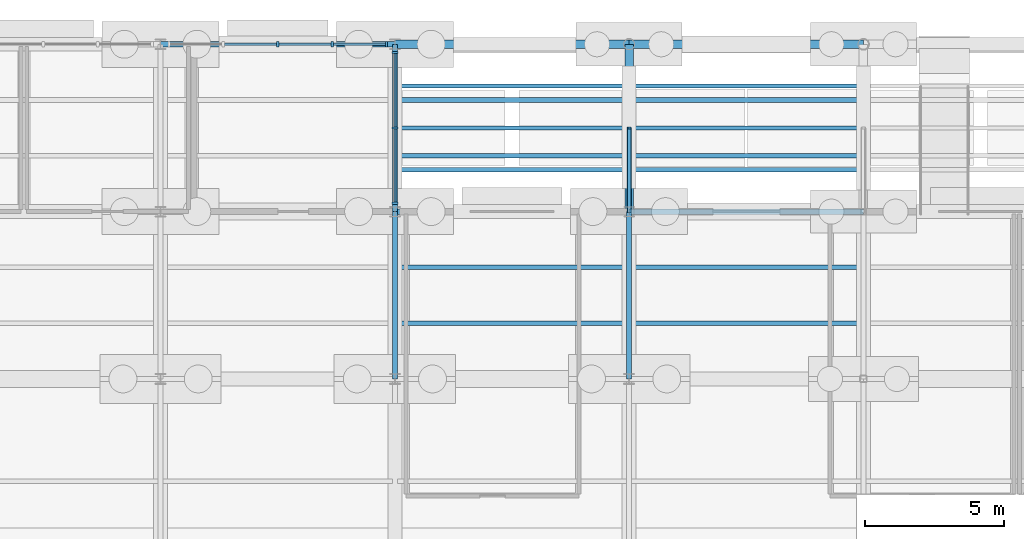
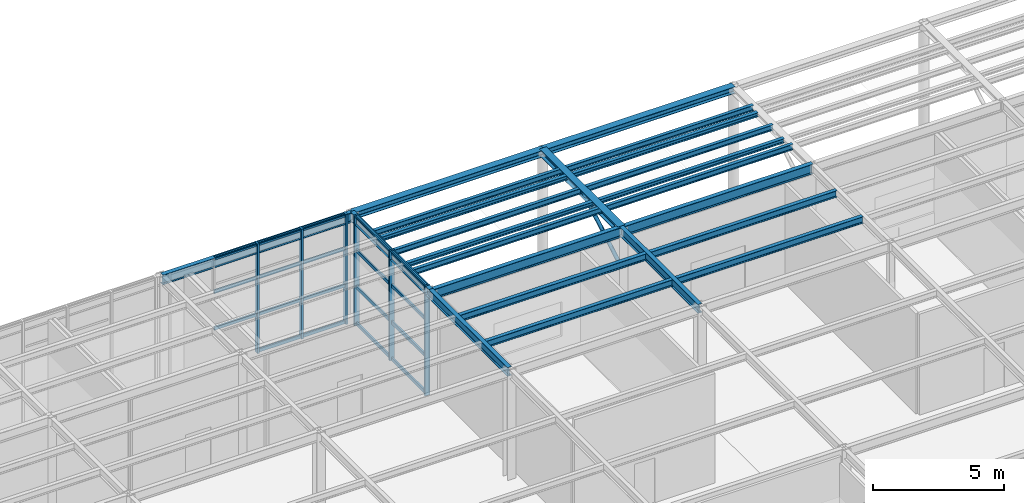
# One storey, part 63 of 129: 32 members, 17 beams, 2 elements without a shape of their own.
"""IFC4 building model written with IfcOpenShell, lengths in metres."""

from ifc_helpers import new_model, si_unit, direction, frame, origin, origin_2d, place, context, subcontext, project, spatial, rectangle, hollow_circle, i_section, extrude, material, layer, layer_set, material_profile, profile_set, type_object, element, aggregate, save


model = new_model("IFC4")

# Units and contexts
model_context = context("Model", 3, precision=1e-05, world=origin(), true_north=direction((0.0, 1.0)))
body_context = subcontext(model_context, "Body", "Model", "MODEL_VIEW")
ifc_project = project(units=[si_unit("LENGTHUNIT", "METRE"), si_unit("AREAUNIT", "SQUARE_METRE"), si_unit("VOLUMEUNIT", "CUBIC_METRE"), si_unit("PLANEANGLEUNIT", "RADIAN"), si_unit("MASSUNIT", "GRAM", prefix="KILO")], contexts=[model_context])

# Site, building, storey
site_placement = place(None, origin())
site = spatial("IfcSite", under=ifc_project, at=site_placement, CompositionType="ELEMENT")
building_placement = place(site_placement, origin())
building = spatial("IfcBuilding", under=site, at=building_placement, Name="Sitalva Quay Ferry Terminal", CompositionType="ELEMENT")
storey_placement = place(building_placement, origin())
storey = spatial("IfcBuildingStorey", under=building, at=storey_placement, Name="L01", CompositionType="ELEMENT", Elevation=0.0)

# Beams
ifc_material_1 = material(Name="Structural Steel S355JR", Category="steel")
ifc_material_profile_1 = material_profile(ifc_material_1, i_section(OverallWidth=0.305908203125, OverallDepth=0.31103515625, WebThickness=0.010986328125, FlangeThickness=0.01708984375, FilletRadius=0.014892578125, at=origin_2d()), Name="W310x107")
ifc_profile_set_1 = profile_set([ifc_material_profile_1], Name="Structural Steel S355JR")
beam_type_1 = type_object("IfcBeamType", Name="Beam_W310x107", PredefinedType="BEAM", material=ifc_profile_set_1)
for number, where, z_axis, x_axis, name in (
    (1, (117.60009765625, 112.0, 4.964599609375), (1.0, 0.0, 0.0), (0.0, 1.0, 0.0), "L01 Primary X girder 0679"),
    (2, (126.0, 112.0, 4.964599609375), (1.0, 0.0, 0.0), (0.0, 1.0, 0.0), "L01 Primary X girder 0680"),
):
    element("IfcBeam", number, at=place(storey_placement, frame(where, z_axis=z_axis, x_axis=x_axis)), inside=storey, type_object=beam_type_1, Name=name, PredefinedType="BEAM", context=body_context, shape_type="SweptSolid", body=[
        extrude(i_section(OverallWidth=0.305908203125, OverallDepth=0.31103515625, WebThickness=0.010986328125, FlangeThickness=0.01708984375, FilletRadius=0.014892578125, at=origin_2d()), origin(), (0.0, 0.0, 1.0), 8.39990234375),
    ])
beam_1_placement = place(storey_placement, frame((126.0, 106.0, 4.964599609375), z_axis=(0.0, 1.0, 0.0), x_axis=(-1.0, 0.0, 0.0)))
element("IfcBeam", 3, at=beam_1_placement, inside=storey, type_object=beam_type_1, Name="L01 Primary Y girder 0683", PredefinedType="BEAM", context=body_context, shape_type="SweptSolid", body=[
    extrude(i_section(OverallWidth=0.305908203125, OverallDepth=0.31103515625, WebThickness=0.010986328125, FlangeThickness=0.01708984375, FilletRadius=0.014892578125, at=origin_2d()), origin(), (0.0, 0.0, 1.0), 6.0),
])
ifc_material_2 = material(Name="Structural Steel S355JR", Category="steel")
ifc_material_profile_2 = material_profile(ifc_material_2, i_section(OverallWidth=0.180908203125, OverallDepth=0.4169921875, WebThickness=0.010986328125, FlangeThickness=0.018310546875, FilletRadius=0.012939453125, at=origin_2d()), Name="W410x85")
ifc_profile_set_2 = profile_set([ifc_material_profile_2], Name="Structural Steel S355JR")
beam_type_2 = type_object("IfcBeamType", Name="Beam_W410x85", PredefinedType="BEAM", material=ifc_profile_set_2)
for number, where, z_axis, x_axis, name in (
    (4, (117.60009765625, 100.0, 4.91162109375), (0.0, 1.0, 0.0), (-1.0, 0.0, 0.0), "L01 Primary Y girder 0541"),
    (5, (126.0, 100.0, 4.91162109375), (0.0, 1.0, 0.0), (-1.0, 0.0, 0.0), "L01 Primary Y girder 0544"),
    (6, (117.60009765625, 106.0, 4.91162109375), (0.0, 1.0, 0.0), (-1.0, 0.0, 0.0), "L01 Primary Y girder 0644"),
):
    element("IfcBeam", number, at=place(storey_placement, frame(where, z_axis=z_axis, x_axis=x_axis)), inside=storey, type_object=beam_type_2, Name=name, PredefinedType="BEAM", context=body_context, shape_type="SweptSolid", body=[
        extrude(i_section(OverallWidth=0.180908203125, OverallDepth=0.4169921875, WebThickness=0.010986328125, FlangeThickness=0.018310546875, FilletRadius=0.012939453125, at=origin_2d()), origin(), (0.0, 0.0, 1.0), 6.0),
    ])
ifc_material_3 = material(Name="Structural Steel S355JR", Category="steel")
ifc_material_profile_3 = material_profile(ifc_material_3, i_section(OverallWidth=0.19091796875, OverallDepth=0.4599609375, WebThickness=0.010009765625, FlangeThickness=0.01611328125, FilletRadius=0.013916015625, at=origin_2d()), Name="W460x82")
ifc_profile_set_3 = profile_set([ifc_material_profile_3], Name="Structural Steel S355JR")
beam_type_3 = type_object("IfcBeamType", Name="Beam_W460x82", PredefinedType="BEAM", material=ifc_profile_set_3)
for number, where, z_axis, x_axis, name in (
    (7, (117.60009765625, 106.0, 4.889892578125), (1.0, 0.0, 0.0), (0.0, 1.0, 0.0), "L01 Primary X girder 0518"),
    (8, (126.0, 106.0, 4.889892578125), (1.0, 0.0, 0.0), (0.0, 1.0, 0.0), "L01 Primary X girder 0519"),
):
    element("IfcBeam", number, at=place(storey_placement, frame(where, z_axis=z_axis, x_axis=x_axis)), inside=storey, type_object=beam_type_3, Name=name, PredefinedType="BEAM", context=body_context, shape_type="SweptSolid", body=[
        extrude(i_section(OverallWidth=0.19091796875, OverallDepth=0.4599609375, WebThickness=0.010009765625, FlangeThickness=0.01611328125, FilletRadius=0.013916015625, at=origin_2d()), origin(), (0.0, 0.0, 1.0), 8.39990234375),
    ])
beam_2_placement = place(storey_placement, frame((109.199951171875, 112.0, 4.889892578125), z_axis=(1.0, 0.0, 0.0), x_axis=(0.0, 1.0, 0.0)))
element("IfcBeam", 9, at=beam_2_placement, inside=storey, type_object=beam_type_3, Name="L01 Primary X girder 0631", PredefinedType="BEAM", context=body_context, shape_type="SweptSolid", body=[
    extrude(i_section(OverallWidth=0.19091796875, OverallDepth=0.4599609375, WebThickness=0.010009765625, FlangeThickness=0.01611328125, FilletRadius=0.013916015625, at=origin_2d()), origin(), (0.0, 0.0, 1.0), 8.400146484375),
])
ifc_material_4 = material(Name="Structural Steel S355JR", Category="steel")
ifc_material_profile_4 = material_profile(ifc_material_4, i_section(OverallWidth=0.1650390625, OverallDepth=0.200927734375, WebThickness=0.006103515625, FlangeThickness=0.01025390625, FilletRadius=0.010009765625, at=origin_2d()), Name="W200x36")
ifc_profile_set_4 = profile_set([ifc_material_profile_4], Name="Structural Steel S355JR")
beam_type_4 = type_object("IfcBeamType", Name="Joist_W200x36", PredefinedType="JOIST", material=ifc_profile_set_4)
for number, where, z_axis, x_axis, name in (
    (10, (117.699951171875, 108.0, 5.01953125), (1.0, 0.0, 0.0), (0.0, 1.0, 0.0), "L01 Secondary joist 0687"),
    (11, (126.10009765625, 108.0, 5.01953125), (1.0, 0.0, 0.0), (0.0, 1.0, 0.0), "L01 Secondary joist 0688"),
    (12, (117.699951171875, 110.0, 5.01953125), (1.0, 0.0, 0.0), (0.0, 1.0, 0.0), "L01 Secondary joist 0691"),
    (13, (126.10009765625, 110.0, 5.01953125), (1.0, 0.0, 0.0), (0.0, 1.0, 0.0), "L01 Secondary joist 0692"),
):
    element("IfcBeam", number, at=place(storey_placement, frame(where, z_axis=z_axis, x_axis=x_axis)), inside=storey, type_object=beam_type_4, Name=name, PredefinedType="JOIST", context=body_context, shape_type="SweptSolid", body=[
        extrude(i_section(OverallWidth=0.1650390625, OverallDepth=0.200927734375, WebThickness=0.006103515625, FlangeThickness=0.01025390625, FilletRadius=0.010009765625, at=origin_2d()), origin(), (0.0, 0.0, 1.0), 8.199951171875),
    ])
ifc_material_5 = material(Name="Structural Steel S355JR", Category="steel")
ifc_material_profile_5 = material_profile(ifc_material_5, i_section(OverallWidth=0.166015625, OverallDepth=0.31298828125, WebThickness=0.006591796875, FlangeThickness=0.01123046875, FilletRadius=0.010986328125, at=origin_2d()), Name="W310x45")
ifc_profile_set_5 = profile_set([ifc_material_profile_5], Name="Structural Steel S355JR")
beam_type_5 = type_object("IfcBeamType", Name="Joist_W310x45", PredefinedType="JOIST", material=ifc_profile_set_5)
for number, where, z_axis, x_axis, name in (
    (14, (117.6904296875, 102.0, 4.96337890625), (1.0, 0.0, 0.0), (0.0, 1.0, 0.0), "L01 Secondary joist 0601"),
    (15, (126.090576171875, 102.0, 4.96337890625), (1.0, 0.0, 0.0), (0.0, 1.0, 0.0), "L01 Secondary joist 0602"),
    (16, (117.6904296875, 104.0, 4.96337890625), (1.0, 0.0, 0.0), (0.0, 1.0, 0.0), "L01 Secondary joist 0612"),
    (17, (126.090576171875, 104.0, 4.96337890625), (1.0, 0.0, 0.0), (0.0, 1.0, 0.0), "L01 Secondary joist 0613"),
):
    element("IfcBeam", number, at=place(storey_placement, frame(where, z_axis=z_axis, x_axis=x_axis)), inside=storey, type_object=beam_type_5, Name=name, PredefinedType="JOIST", context=body_context, shape_type="SweptSolid", body=[
        extrude(i_section(OverallWidth=0.166015625, OverallDepth=0.31298828125, WebThickness=0.006591796875, FlangeThickness=0.01123046875, FilletRadius=0.010986328125, at=origin_2d()), origin(), (0.0, 0.0, 1.0), 8.218994140625),
    ])

# Curtain wall, members
ifc_material_6 = material(Name="Anodised Aluminium & Low-E Glazing", Category="aluminium")
ifc_layer_1 = layer(ifc_material_6, 0.159912109375)
ifc_layer_set_1 = layer_set([ifc_layer_1], Name="Anodised Aluminium & Low-E Glazing")
curtain_wall_type_1 = type_object("IfcCurtainWallType", Name="CW_Podium_Stick", PredefinedType="USERDEFINED", material=ifc_layer_set_1)
curtain_wall_1_placement = place(storey_placement, origin())
curtain_wall_1 = element("IfcCurtainWall", 18, at=curtain_wall_1_placement, inside=storey, type_object=curtain_wall_type_1, Name="Forecourt east return glazing L01 (CW-L01-101)", ObjectType="CURTAIN_WALL", PredefinedType="USERDEFINED")
ifc_material_7 = material(Name="Anodised Aluminium 6063-T6", Category="aluminium")
ifc_material_profile_6 = material_profile(ifc_material_7, rectangle(XDim=0.074951171875, YDim=0.219970703125, at=origin_2d()), Name="ALU75x220")
ifc_profile_set_6 = profile_set([ifc_material_profile_6], Name="Anodised Aluminium 6063-T6")
member_type_1 = type_object("IfcMemberType", Name="Mullion_Alu_75x160", PredefinedType="MULLION", material=ifc_profile_set_6)
member_1_placement = place(storey_placement, frame((117.60009765625, 106.300048828125, 0.0), z_axis=(0.0, 0.0, 1.0), x_axis=(0.0, 1.0, 0.0)))
member_1 = element("IfcMember", 19, at=member_1_placement, type_object=member_type_1, Name="CW-L01-101-M0", PredefinedType="MULLION", context=body_context, shape_type="SweptSolid", body=[
    extrude(rectangle(XDim=0.074951171875, YDim=0.219970703125, at=origin_2d()), origin(), (0.0, 0.0, 1.0), 5.1201171875),
])
member_2_placement = place(storey_placement, frame((117.60009765625, 109.0, 0.0), z_axis=(0.0, 0.0, 1.0), x_axis=(0.0, 1.0, 0.0)))
member_2 = element("IfcMember", 20, at=member_2_placement, type_object=member_type_1, Name="CW-L01-101-M1", PredefinedType="MULLION", context=body_context, shape_type="SweptSolid", body=[
    extrude(rectangle(XDim=0.074951171875, YDim=0.219970703125, at=origin_2d()), origin(), (0.0, 0.0, 1.0), 5.1201171875),
])
member_3_placement = place(storey_placement, frame((117.60009765625, 111.699951171875, 0.0), z_axis=(0.0, 0.0, 1.0), x_axis=(0.0, 1.0, 0.0)))
member_3 = element("IfcMember", 21, at=member_3_placement, type_object=member_type_1, Name="CW-L01-101-M2", PredefinedType="MULLION", context=body_context, shape_type="SweptSolid", body=[
    extrude(rectangle(XDim=0.074951171875, YDim=0.219970703125, at=origin_2d()), origin(), (0.0, 0.0, 1.0), 5.1201171875),
])

ifc_material_8 = material(Name="Anodised Aluminium & Low-E Glazing", Category="aluminium")
ifc_layer_2 = layer(ifc_material_8, 0.159912109375)
ifc_layer_set_2 = layer_set([ifc_layer_2], Name="Anodised Aluminium & Low-E Glazing")
curtain_wall_type_2 = type_object("IfcCurtainWallType", Name="CW_Concourse_Unitised", PredefinedType="USERDEFINED", material=ifc_layer_set_2)
curtain_wall_2_placement = place(storey_placement, origin())
curtain_wall_2 = element("IfcCurtainWall", 22, at=curtain_wall_2_placement, inside=storey, type_object=curtain_wall_type_2, Name="Forecourt arrival hall glazing L01 (CW-L01-105)", ObjectType="CURTAIN_WALL", PredefinedType="USERDEFINED")
ifc_material_9 = material(Name="Anodised Aluminium 6063-T6", Category="aluminium")
ifc_material_profile_7 = material_profile(ifc_material_9, rectangle(XDim=0.0849609375, YDim=0.2099609375, at=origin_2d()), Name="ALU85x210")
ifc_profile_set_7 = profile_set([ifc_material_profile_7], Name="Anodised Aluminium 6063-T6")
member_type_2 = type_object("IfcMemberType", Name="Mullion_Alu_85x210", PredefinedType="MULLION", material=ifc_profile_set_7)
member_4_placement = place(storey_placement, frame((113.39990234375, 112.0, 0.0), z_axis=(0.0, 0.0, 1.0), x_axis=(1.0, 0.0, 0.0)))
member_4 = element("IfcMember", 23, at=member_4_placement, type_object=member_type_2, Name="CW-L01-105-M2", PredefinedType="MULLION", context=body_context, shape_type="SweptSolid", body=[
    extrude(rectangle(XDim=0.0849609375, YDim=0.2099609375, at=origin_2d()), origin(), (0.0, 0.0, 1.0), 5.1201171875),
])
member_5_placement = place(storey_placement, frame((115.35009765625, 112.0, 0.0), z_axis=(0.0, 0.0, 1.0), x_axis=(1.0, 0.0, 0.0)))
member_5 = element("IfcMember", 24, at=member_5_placement, type_object=member_type_2, Name="CW-L01-105-M3", PredefinedType="MULLION", context=body_context, shape_type="SweptSolid", body=[
    extrude(rectangle(XDim=0.0849609375, YDim=0.2099609375, at=origin_2d()), origin(), (0.0, 0.0, 1.0), 5.1201171875),
])
member_6_placement = place(storey_placement, frame((117.300048828125, 112.0, 0.0), z_axis=(0.0, 0.0, 1.0), x_axis=(1.0, 0.0, 0.0)))
member_6 = element("IfcMember", 25, at=member_6_placement, type_object=member_type_2, Name="CW-L01-105-M4", PredefinedType="MULLION", context=body_context, shape_type="SweptSolid", body=[
    extrude(rectangle(XDim=0.0849609375, YDim=0.2099609375, at=origin_2d()), origin(), (0.0, 0.0, 1.0), 5.1201171875),
])

# Members
ifc_material_10 = material(Name="Structural Steel S355JR", Category="steel")
ifc_material_profile_8 = material_profile(ifc_material_10, i_section(OverallWidth=0.14697265625, OverallDepth=0.261962890625, WebThickness=0.006591796875, FlangeThickness=0.01123046875, FilletRadius=0.010009765625, at=origin_2d()), Name="W250x39")
ifc_profile_set_8 = profile_set([ifc_material_profile_8], Name="Structural Steel S355JR")
member_type_3 = type_object("IfcMemberType", Name="Purlin_W250x39", PredefinedType="PURLIN", material=ifc_profile_set_8)
for number, where, z_axis, x_axis, name in (
    (26, (117.60009765625, 107.5, 4.989013671875), (1.0, 0.0, 0.0), (0.0, 1.0, 0.0), "Entrance canopy E purlin"),
    (27, (117.60009765625, 109.0, 4.989013671875), (1.0, 0.0, 0.0), (0.0, 1.0, 0.0), "Entrance canopy E purlin"),
    (28, (117.60009765625, 110.5, 4.989013671875), (1.0, 0.0, 0.0), (0.0, 1.0, 0.0), "Entrance canopy E purlin"),
    (29, (126.0, 107.5, 4.989013671875), (1.0, 0.0, 0.0), (0.0, 1.0, 0.0), "Entrance canopy E purlin"),
    (30, (126.0, 109.0, 4.989013671875), (1.0, 0.0, 0.0), (0.0, 1.0, 0.0), "Entrance canopy E purlin"),
    (31, (126.0, 110.5, 4.989013671875), (1.0, 0.0, 0.0), (0.0, 1.0, 0.0), "Entrance canopy E purlin"),
):
    element("IfcMember", number, at=place(storey_placement, frame(where, z_axis=z_axis, x_axis=x_axis)), inside=storey, type_object=member_type_3, Name=name, PredefinedType="PURLIN", context=body_context, shape_type="SweptSolid", body=[
        extrude(i_section(OverallWidth=0.14697265625, OverallDepth=0.261962890625, WebThickness=0.006591796875, FlangeThickness=0.01123046875, FilletRadius=0.010009765625, at=origin_2d()), origin(), (0.0, 0.0, 1.0), 8.39990234375),
    ])
ifc_material_11 = material(Name="Structural Steel S355JR", Category="steel")
ifc_material_profile_9 = material_profile(ifc_material_11, hollow_circle(Radius=0.084228515625, WallThickness=0.008056640625, at=origin_2d()), Name="CHS168x8")
ifc_profile_set_9 = profile_set([ifc_material_profile_9], Name="Structural Steel S355JR")
member_type_4 = type_object("IfcMemberType", Name="Strut_CHS168x8", PredefinedType="STRUT", material=ifc_profile_set_9)
member_7_placement = place(storey_placement, frame((126.0, 106.0, 3.199951171875), z_axis=(0.0, 0.863778900898, 0.503871025524), x_axis=(-1.0, 0.0, 0.0)))
element("IfcMember", 32, at=member_7_placement, inside=storey, type_object=member_type_4, Name="Entrance canopy E raking strut", PredefinedType="STRUT", context=body_context, shape_type="SweptSolid", body=[
    extrude(hollow_circle(Radius=0.084228515625, WallThickness=0.008056640625, at=origin_2d()), origin(), (0.0, 0.0, 1.0), 3.47314453125),
])

# Member
ifc_material_12 = material(Name="Anodised Aluminium 6063-T6", Category="aluminium")
ifc_material_profile_10 = material_profile(ifc_material_12, rectangle(XDim=0.074951171875, YDim=0.155029296875, at=origin_2d()), Name="ALU75x155")
ifc_profile_set_10 = profile_set([ifc_material_profile_10], Name="Anodised Aluminium 6063-T6")
member_type_5 = type_object("IfcMemberType", Name="Transom_Alu_70x135", PredefinedType="MULLION", material=ifc_profile_set_10)
member_8_placement = place(storey_placement, frame((117.60009765625, 106.33740234375, 0.077392578125), z_axis=(0.0, 1.0, 0.0), x_axis=(-1.0, 0.0, 0.0)))
member_8 = element("IfcMember", 33, at=member_8_placement, type_object=member_type_5, Name="CW-L01-101-T0-0", ObjectType="TRANSOM", PredefinedType="USERDEFINED", context=body_context, shape_type="SweptSolid", body=[
    extrude(rectangle(XDim=0.074951171875, YDim=0.155029296875, at=origin_2d()), origin(), (0.0, 0.0, 1.0), 2.625),
])

member_9_placement = place(storey_placement, frame((117.60009765625, 106.33740234375, 1.7841796875), z_axis=(0.0, 1.0, 0.0), x_axis=(-1.0, 0.0, 0.0)))
member_9 = element("IfcMember", 34, at=member_9_placement, type_object=member_type_5, Name="CW-L01-101-T0-1", ObjectType="TRANSOM", PredefinedType="USERDEFINED", context=body_context, shape_type="SweptSolid", body=[
    extrude(rectangle(XDim=0.074951171875, YDim=0.155029296875, at=origin_2d()), origin(), (0.0, 0.0, 1.0), 2.625),
])

member_10_placement = place(storey_placement, frame((117.60009765625, 106.33740234375, 3.49072265625), z_axis=(0.0, 1.0, 0.0), x_axis=(-1.0, 0.0, 0.0)))
member_10 = element("IfcMember", 35, at=member_10_placement, type_object=member_type_5, Name="CW-L01-101-T0-2", ObjectType="TRANSOM", PredefinedType="USERDEFINED", context=body_context, shape_type="SweptSolid", body=[
    extrude(rectangle(XDim=0.074951171875, YDim=0.155029296875, at=origin_2d()), origin(), (0.0, 0.0, 1.0), 2.625),
])

member_11_placement = place(storey_placement, frame((117.60009765625, 106.33740234375, 5.04248046875), z_axis=(0.0, 1.0, 0.0), x_axis=(-1.0, 0.0, 0.0)))
member_11 = element("IfcMember", 36, at=member_11_placement, type_object=member_type_5, Name="CW-L01-101-T0-3", ObjectType="TRANSOM", PredefinedType="USERDEFINED", context=body_context, shape_type="SweptSolid", body=[
    extrude(rectangle(XDim=0.074951171875, YDim=0.155029296875, at=origin_2d()), origin(), (0.0, 0.0, 1.0), 2.625),
])

member_12_placement = place(storey_placement, frame((117.60009765625, 109.03759765625, 0.077392578125), z_axis=(0.0, 1.0, 0.0), x_axis=(-1.0, 0.0, 0.0)))
member_12 = element("IfcMember", 37, at=member_12_placement, type_object=member_type_5, Name="CW-L01-101-T1-0", ObjectType="TRANSOM", PredefinedType="USERDEFINED", context=body_context, shape_type="SweptSolid", body=[
    extrude(rectangle(XDim=0.074951171875, YDim=0.155029296875, at=origin_2d()), origin(), (0.0, 0.0, 1.0), 2.625),
])

member_13_placement = place(storey_placement, frame((117.60009765625, 109.03759765625, 1.7841796875), z_axis=(0.0, 1.0, 0.0), x_axis=(-1.0, 0.0, 0.0)))
member_13 = element("IfcMember", 38, at=member_13_placement, type_object=member_type_5, Name="CW-L01-101-T1-1", ObjectType="TRANSOM", PredefinedType="USERDEFINED", context=body_context, shape_type="SweptSolid", body=[
    extrude(rectangle(XDim=0.074951171875, YDim=0.155029296875, at=origin_2d()), origin(), (0.0, 0.0, 1.0), 2.625),
])

member_14_placement = place(storey_placement, frame((117.60009765625, 109.03759765625, 3.49072265625), z_axis=(0.0, 1.0, 0.0), x_axis=(-1.0, 0.0, 0.0)))
member_14 = element("IfcMember", 39, at=member_14_placement, type_object=member_type_5, Name="CW-L01-101-T1-2", ObjectType="TRANSOM", PredefinedType="USERDEFINED", context=body_context, shape_type="SweptSolid", body=[
    extrude(rectangle(XDim=0.074951171875, YDim=0.155029296875, at=origin_2d()), origin(), (0.0, 0.0, 1.0), 2.625),
])

member_15_placement = place(storey_placement, frame((117.60009765625, 109.03759765625, 5.04248046875), z_axis=(0.0, 1.0, 0.0), x_axis=(-1.0, 0.0, 0.0)))
member_15 = element("IfcMember", 40, at=member_15_placement, type_object=member_type_5, Name="CW-L01-101-T1-3", ObjectType="TRANSOM", PredefinedType="USERDEFINED", context=body_context, shape_type="SweptSolid", body=[
    extrude(rectangle(XDim=0.074951171875, YDim=0.155029296875, at=origin_2d()), origin(), (0.0, 0.0, 1.0), 2.625),
])

aggregate(curtain_wall_1, [member_1, member_2, member_3, member_8, member_9, member_10, member_11, member_12, member_13, member_14, member_15])

ifc_material_13 = material(Name="Anodised Aluminium 6063-T6", Category="aluminium")
ifc_material_profile_11 = material_profile(ifc_material_13, rectangle(XDim=0.074951171875, YDim=0.14990234375, at=origin_2d()), Name="ALU75x150")
ifc_profile_set_11 = profile_set([ifc_material_profile_11], Name="Anodised Aluminium 6063-T6")
member_type_6 = type_object("IfcMemberType", Name="Transom_Alu_75x140", PredefinedType="MULLION", material=ifc_profile_set_11)
member_16_placement = place(storey_placement, frame((111.492431640625, 112.0, 1.78173828125), z_axis=(1.0, 0.0, 0.0), x_axis=(0.0, 1.0, 0.0)))
member_16 = element("IfcMember", 41, at=member_16_placement, type_object=member_type_6, Name="CW-L01-105-T1-1", ObjectType="TRANSOM", PredefinedType="USERDEFINED", context=body_context, shape_type="SweptSolid", body=[
    extrude(rectangle(XDim=0.074951171875, YDim=0.14990234375, at=origin_2d()), origin(), (0.0, 0.0, 1.0), 1.864990234375),
])

member_17_placement = place(storey_placement, frame((111.492431640625, 112.0, 3.48828125), z_axis=(1.0, 0.0, 0.0), x_axis=(0.0, 1.0, 0.0)))
member_17 = element("IfcMember", 42, at=member_17_placement, type_object=member_type_6, Name="CW-L01-105-T1-2", ObjectType="TRANSOM", PredefinedType="USERDEFINED", context=body_context, shape_type="SweptSolid", body=[
    extrude(rectangle(XDim=0.074951171875, YDim=0.14990234375, at=origin_2d()), origin(), (0.0, 0.0, 1.0), 1.864990234375),
])

member_18_placement = place(storey_placement, frame((111.492431640625, 112.0, 5.044921875), z_axis=(1.0, 0.0, 0.0), x_axis=(0.0, 1.0, 0.0)))
member_18 = element("IfcMember", 43, at=member_18_placement, type_object=member_type_6, Name="CW-L01-105-T1-3", ObjectType="TRANSOM", PredefinedType="USERDEFINED", context=body_context, shape_type="SweptSolid", body=[
    extrude(rectangle(XDim=0.074951171875, YDim=0.14990234375, at=origin_2d()), origin(), (0.0, 0.0, 1.0), 1.864990234375),
])

member_19_placement = place(storey_placement, frame((113.4423828125, 112.0, 0.074951171875), z_axis=(1.0, 0.0, 0.0), x_axis=(0.0, 1.0, 0.0)))
member_19 = element("IfcMember", 44, at=member_19_placement, type_object=member_type_6, Name="CW-L01-105-T2-0", ObjectType="TRANSOM", PredefinedType="USERDEFINED", context=body_context, shape_type="SweptSolid", body=[
    extrude(rectangle(XDim=0.074951171875, YDim=0.14990234375, at=origin_2d()), origin(), (0.0, 0.0, 1.0), 1.865234375),
])

member_20_placement = place(storey_placement, frame((113.4423828125, 112.0, 1.78173828125), z_axis=(1.0, 0.0, 0.0), x_axis=(0.0, 1.0, 0.0)))
member_20 = element("IfcMember", 45, at=member_20_placement, type_object=member_type_6, Name="CW-L01-105-T2-1", ObjectType="TRANSOM", PredefinedType="USERDEFINED", context=body_context, shape_type="SweptSolid", body=[
    extrude(rectangle(XDim=0.074951171875, YDim=0.14990234375, at=origin_2d()), origin(), (0.0, 0.0, 1.0), 1.865234375),
])

member_21_placement = place(storey_placement, frame((113.4423828125, 112.0, 3.48828125), z_axis=(1.0, 0.0, 0.0), x_axis=(0.0, 1.0, 0.0)))
member_21 = element("IfcMember", 46, at=member_21_placement, type_object=member_type_6, Name="CW-L01-105-T2-2", ObjectType="TRANSOM", PredefinedType="USERDEFINED", context=body_context, shape_type="SweptSolid", body=[
    extrude(rectangle(XDim=0.074951171875, YDim=0.14990234375, at=origin_2d()), origin(), (0.0, 0.0, 1.0), 1.865234375),
])

member_22_placement = place(storey_placement, frame((113.4423828125, 112.0, 5.044921875), z_axis=(1.0, 0.0, 0.0), x_axis=(0.0, 1.0, 0.0)))
member_22 = element("IfcMember", 47, at=member_22_placement, type_object=member_type_6, Name="CW-L01-105-T2-3", ObjectType="TRANSOM", PredefinedType="USERDEFINED", context=body_context, shape_type="SweptSolid", body=[
    extrude(rectangle(XDim=0.074951171875, YDim=0.14990234375, at=origin_2d()), origin(), (0.0, 0.0, 1.0), 1.865234375),
])

member_23_placement = place(storey_placement, frame((115.392578125, 112.0, 0.074951171875), z_axis=(1.0, 0.0, 0.0), x_axis=(0.0, 1.0, 0.0)))
member_23 = element("IfcMember", 48, at=member_23_placement, type_object=member_type_6, Name="CW-L01-105-T3-0", ObjectType="TRANSOM", PredefinedType="USERDEFINED", context=body_context, shape_type="SweptSolid", body=[
    extrude(rectangle(XDim=0.074951171875, YDim=0.14990234375, at=origin_2d()), origin(), (0.0, 0.0, 1.0), 1.864990234375),
])

member_24_placement = place(storey_placement, frame((115.392578125, 112.0, 1.78173828125), z_axis=(1.0, 0.0, 0.0), x_axis=(0.0, 1.0, 0.0)))
member_24 = element("IfcMember", 49, at=member_24_placement, type_object=member_type_6, Name="CW-L01-105-T3-1", ObjectType="TRANSOM", PredefinedType="USERDEFINED", context=body_context, shape_type="SweptSolid", body=[
    extrude(rectangle(XDim=0.074951171875, YDim=0.14990234375, at=origin_2d()), origin(), (0.0, 0.0, 1.0), 1.864990234375),
])

member_25_placement = place(storey_placement, frame((115.392578125, 112.0, 3.48828125), z_axis=(1.0, 0.0, 0.0), x_axis=(0.0, 1.0, 0.0)))
member_25 = element("IfcMember", 50, at=member_25_placement, type_object=member_type_6, Name="CW-L01-105-T3-2", ObjectType="TRANSOM", PredefinedType="USERDEFINED", context=body_context, shape_type="SweptSolid", body=[
    extrude(rectangle(XDim=0.074951171875, YDim=0.14990234375, at=origin_2d()), origin(), (0.0, 0.0, 1.0), 1.864990234375),
])

member_26_placement = place(storey_placement, frame((115.392578125, 112.0, 5.044921875), z_axis=(1.0, 0.0, 0.0), x_axis=(0.0, 1.0, 0.0)))
member_26 = element("IfcMember", 51, at=member_26_placement, type_object=member_type_6, Name="CW-L01-105-T3-3", ObjectType="TRANSOM", PredefinedType="USERDEFINED", context=body_context, shape_type="SweptSolid", body=[
    extrude(rectangle(XDim=0.074951171875, YDim=0.14990234375, at=origin_2d()), origin(), (0.0, 0.0, 1.0), 1.864990234375),
])

aggregate(curtain_wall_2, [member_4, member_5, member_6, member_16, member_17, member_18, member_19, member_20, member_21, member_22, member_23, member_24, member_25, member_26])

save(model, "model.ifc")
